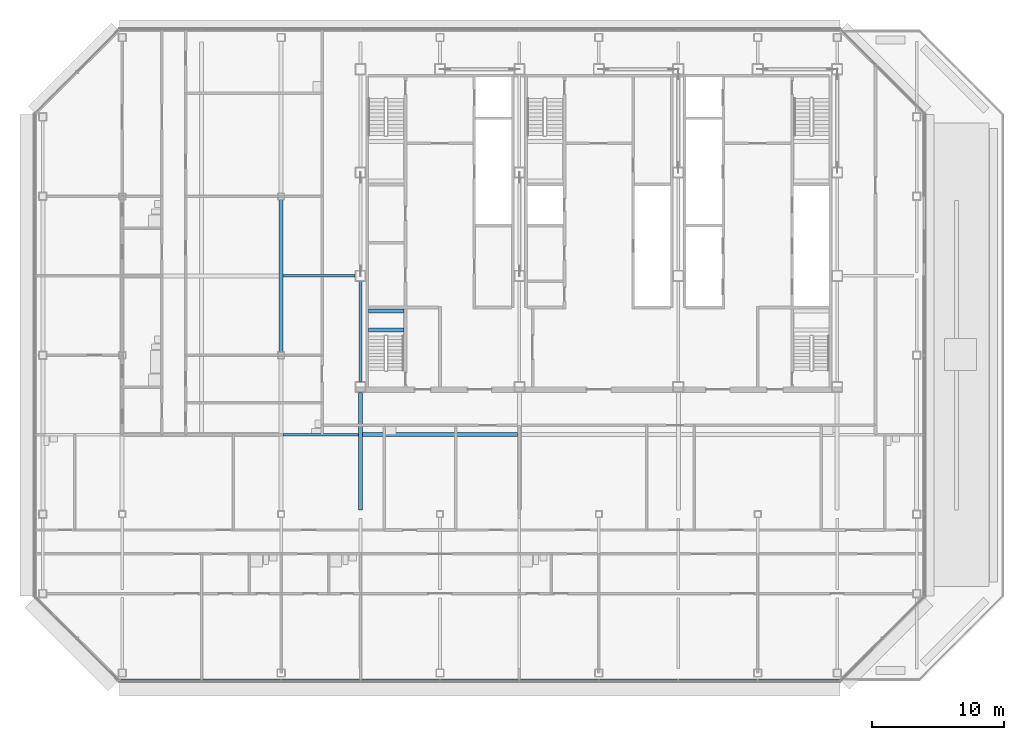
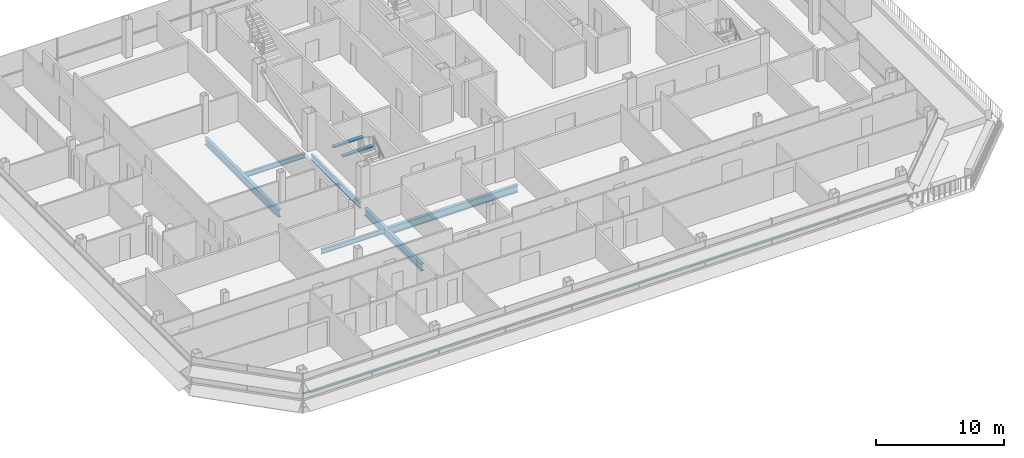
# One storey, part 8 of 28: 8 beams, 1 member, 1 element without a shape of its own.
"""IFC4 building model written with IfcOpenShell, lengths in metres."""

from ifc_helpers import new_model, si_unit, direction, frame, origin, origin_2d, place, context, subcontext, project, spatial, rectangle, i_section, extrude, material, material_profile, profile_set, type_object, element, aggregate, save


model = new_model("IFC4")

# Units and contexts
model_context = context("Model", 3, precision=1e-05, world=origin(), true_north=direction((0.0, 1.0)))
body_context = subcontext(model_context, "Body", "Model", "MODEL_VIEW")
ifc_project = project(units=[si_unit("LENGTHUNIT", "METRE"), si_unit("AREAUNIT", "SQUARE_METRE"), si_unit("VOLUMEUNIT", "CUBIC_METRE"), si_unit("PLANEANGLEUNIT", "RADIAN"), si_unit("MASSUNIT", "GRAM", prefix="KILO")], contexts=[model_context])

# Site, building, storey
site_placement = place(None, origin())
site = spatial("IfcSite", under=ifc_project, at=site_placement, CompositionType="ELEMENT")
building_placement = place(site_placement, origin())
building = spatial("IfcBuilding", under=site, at=building_placement, Name="Sorahane Residences", CompositionType="ELEMENT")
storey_placement = place(building_placement, frame((0.0, 0.0, 290.800048828125)))
storey = spatial("IfcBuildingStorey", under=building, at=storey_placement, Name="L68", CompositionType="ELEMENT", Elevation=290.800048828125)

# Curtain wall, member
ifc_material_1 = material(Name="Dark low-e glass and black anodised aluminium", Category="aluminium")
curtain_wall_type = type_object("IfcCurtainWallType", Name="Curtain wall CW-1 Typical unitised wall", PredefinedType="NOTDEFINED", material=ifc_material_1)
curtain_wall_placement = place(storey_placement, origin())
curtain_wall = element("IfcCurtainWall", 1, at=curtain_wall_placement, inside=storey, type_object=curtain_wall_type, Name="CW-1 curtain wall L68 S1", PredefinedType="NOTDEFINED")
ifc_material_2 = material(Name="Black anodised aluminium", Category="aluminium")
ifc_material_profile_1 = material_profile(ifc_material_2, rectangle(XDim=0.10009765625, YDim=0.06005859375, at=origin_2d()), Name="Curtain wall transom CW-1 black anodised aluminium 60x100")
ifc_profile_set_1 = profile_set([ifc_material_profile_1], Name="Black anodised aluminium")
member_type = type_object("IfcMemberType", Name="Curtain wall transom CW-1 black anodised aluminium 60x100", PredefinedType="USERDEFINED", material=ifc_profile_set_1)
member_placement = place(storey_placement, frame((-12.198486328125, -0.530029296875, 1.5), z_axis=(1.0, 0.0, 0.0), x_axis=(0.0, 1.0, 0.0)))
member = element("IfcMember", 2, at=member_placement, type_object=member_type, Name="CW-1 transom L68 S1", ObjectType="TRANSOM", PredefinedType="USERDEFINED", context=body_context, shape_type="SweptSolid", body=[
    extrude(rectangle(XDim=0.10009765625, YDim=0.06005859375, at=origin_2d()), origin(), (0.0, 0.0, 1.0), 54.39697265625),
])
aggregate(curtain_wall, [member])

# Beams
ifc_material_3 = material(Name="Concrete C40", Category="concrete")
ifc_material_profile_2 = material_profile(ifc_material_3, rectangle(XDim=0.300048828125, YDim=0.139892578125, at=origin_2d()), Name="300x140")
ifc_profile_set_2 = profile_set([ifc_material_profile_2], Name="Concrete C40")
beam_type_1 = type_object("IfcBeamType", Name="RC landing beam 300 x 140 Concrete C40", PredefinedType="BEAM", material=ifc_profile_set_2)
for number, where, z_axis, x_axis, name in (
    (3, (6.60009765625, 25.89990234375, 1.530029296875), (1.0, 0.0, 0.0), (0.0, 1.0, 0.0), "Landing beam"),
    (4, (6.60009765625, 27.35009765625, 1.530029296875), (1.0, 0.0, 0.0), (0.0, 1.0, 0.0), "Landing beam"),
):
    element("IfcBeam", number, at=place(storey_placement, frame(where, z_axis=z_axis, x_axis=x_axis)), inside=storey, type_object=beam_type_1, Name=name, PredefinedType="BEAM", context=body_context, shape_type="SweptSolid", body=[
        extrude(rectangle(XDim=0.300048828125, YDim=0.139892578125, at=origin_2d()), origin(), (0.0, 0.0, 1.0), 2.699951171875),
    ])
ifc_material_4 = material(Name="Steel Q355B", Category="steel")
ifc_material_profile_3 = material_profile(ifc_material_4, i_section(OverallWidth=0.199951171875, OverallDepth=0.449951171875, WebThickness=0.009033203125, FlangeThickness=0.013916015625, FilletRadius=0.02001953125, at=origin_2d()), Name="HN 450x200x9x14")
ifc_profile_set_3 = profile_set([ifc_material_profile_3], Name="Steel Q355B")
beam_type_2 = type_object("IfcBeamType", Name="Steel floor beam HN 450x200x9x14 Q355B", PredefinedType="BEAM", material=ifc_profile_set_3)
beam_1_placement = place(storey_placement, frame((0.14990234375, 18.0, -0.525146484375), z_axis=(1.0, 0.0, 0.0), x_axis=(0.0, 1.0, 0.0)))
element("IfcBeam", 5, at=beam_1_placement, inside=storey, type_object=beam_type_2, Name="Beam L68 061", PredefinedType="BEAM", context=body_context, shape_type="SweptSolid", body=[
    extrude(i_section(OverallWidth=0.199951171875, OverallDepth=0.449951171875, WebThickness=0.009033203125, FlangeThickness=0.013916015625, FilletRadius=0.02001953125, at=origin_2d()), origin(), (0.0, 0.0, 1.0), 5.7001953125),
])
beam_2_placement = place(storey_placement, frame((0.14990234375, 30.0, -0.525146484375), z_axis=(1.0, 0.0, 0.0), x_axis=(0.0, 1.0, 0.0)))
element("IfcBeam", 6, at=beam_2_placement, inside=storey, type_object=beam_type_2, Name="Beam L68 068", PredefinedType="BEAM", context=body_context, shape_type="SweptSolid", body=[
    extrude(i_section(OverallWidth=0.199951171875, OverallDepth=0.449951171875, WebThickness=0.009033203125, FlangeThickness=0.013916015625, FilletRadius=0.02001953125, at=origin_2d()), origin(), (0.0, 0.0, 1.0), 5.4501953125),
])
ifc_material_5 = material(Name="Steel Q355B", Category="steel")
ifc_material_profile_4 = material_profile(ifc_material_5, i_section(OverallWidth=0.199951171875, OverallDepth=0.60009765625, WebThickness=0.010986328125, FlangeThickness=0.01708984375, FilletRadius=0.02392578125, at=origin_2d()), Name="HN 600x200x11x17")
ifc_profile_set_4 = profile_set([ifc_material_profile_4], Name="Steel Q355B")
beam_type_3 = type_object("IfcBeamType", Name="Steel floor beam HN 600x200x11x17 Q355B", PredefinedType="BEAM", material=ifc_profile_set_4)
beam_3_placement = place(storey_placement, frame((6.0, 22.0, -0.60009765625), z_axis=(0.0, 1.0, 0.0), x_axis=(-1.0, 0.0, 0.0)))
element("IfcBeam", 7, at=beam_3_placement, inside=storey, type_object=beam_type_3, Name="Beam L68 018", PredefinedType="BEAM", context=body_context, shape_type="SweptSolid", body=[
    extrude(i_section(OverallWidth=0.199951171875, OverallDepth=0.60009765625, WebThickness=0.010986328125, FlangeThickness=0.01708984375, FilletRadius=0.02392578125, at=origin_2d()), origin(), (0.0, 0.0, 1.0), 7.60009765625),
])
ifc_material_6 = material(Name="Steel Q355B", Category="steel")
ifc_material_profile_5 = material_profile(ifc_material_6, i_section(OverallWidth=0.300048828125, OverallDepth=0.699951171875, WebThickness=0.012939453125, FlangeThickness=0.02392578125, FilletRadius=0.028076171875, at=origin_2d()), Name="HN 700x300x13x24")
ifc_profile_set_5 = profile_set([ifc_material_profile_5], Name="Steel Q355B")
beam_type_4 = type_object("IfcBeamType", Name="Steel floor beam HN 700x300x13x24 Q355B", PredefinedType="BEAM", material=ifc_profile_set_5)
beam_4_placement = place(storey_placement, frame((0.0, 24.25, -0.650146484375), z_axis=(0.0, 1.0, 0.0), x_axis=(-1.0, 0.0, 0.0)))
element("IfcBeam", 8, at=beam_4_placement, inside=storey, type_object=beam_type_4, Name="Beam L68 013", PredefinedType="BEAM", context=body_context, shape_type="SweptSolid", body=[
    extrude(i_section(OverallWidth=0.300048828125, OverallDepth=0.699951171875, WebThickness=0.012939453125, FlangeThickness=0.02392578125, FilletRadius=0.028076171875, at=origin_2d()), origin(), (0.0, 0.0, 1.0), 11.5),
])
beam_5_placement = place(storey_placement, frame((6.0, 12.324951171875, -0.650146484375), z_axis=(0.0, 1.0, 0.0), x_axis=(-1.0, 0.0, 0.0)))
element("IfcBeam", 9, at=beam_5_placement, inside=storey, type_object=beam_type_4, Name="Beam L68 017", PredefinedType="BEAM", context=body_context, shape_type="SweptSolid", body=[
    extrude(i_section(OverallWidth=0.300048828125, OverallDepth=0.699951171875, WebThickness=0.012939453125, FlangeThickness=0.02392578125, FilletRadius=0.028076171875, at=origin_2d()), origin(), (0.0, 0.0, 1.0), 8.875),
])
beam_6_placement = place(storey_placement, frame((6.14990234375, 18.0, -0.650146484375), z_axis=(1.0, 0.0, 0.0), x_axis=(0.0, 1.0, 0.0)))
element("IfcBeam", 10, at=beam_6_placement, inside=storey, type_object=beam_type_4, Name="Beam L68 062", PredefinedType="BEAM", context=body_context, shape_type="SweptSolid", body=[
    extrude(i_section(OverallWidth=0.300048828125, OverallDepth=0.699951171875, WebThickness=0.012939453125, FlangeThickness=0.02392578125, FilletRadius=0.028076171875, at=origin_2d()), origin(), (0.0, 0.0, 1.0), 11.7001953125),
])

save(model, "model.ifc")
